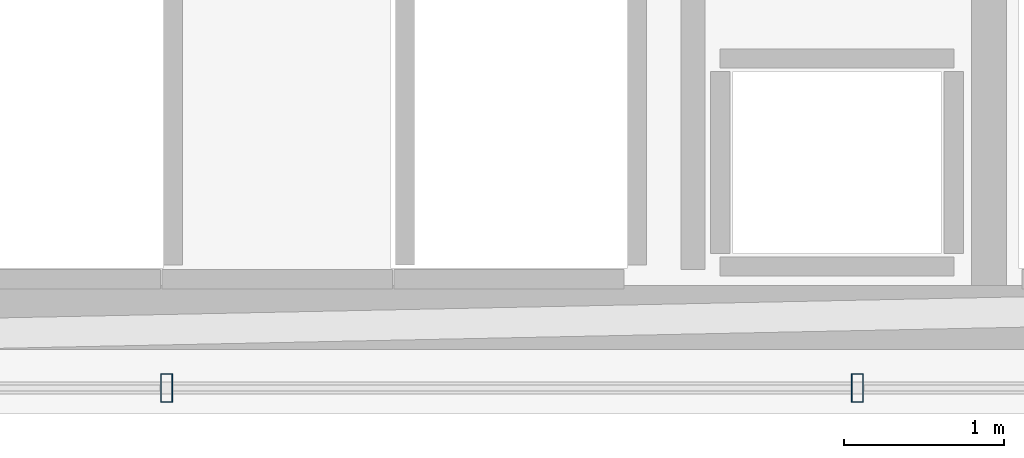
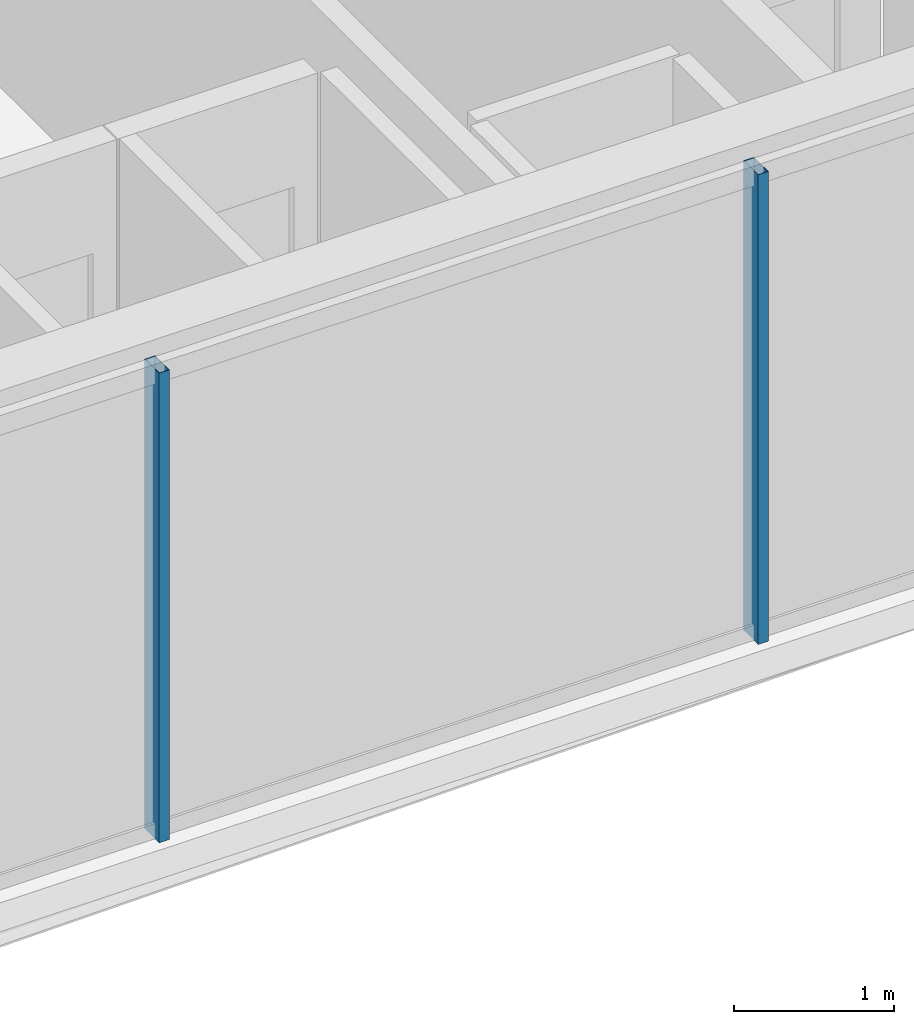
# One storey, part 8 of 30: 2 members, 1 element without a shape of its own.
"""IFC4 building model written with IfcOpenShell, lengths in metres."""

from ifc_helpers import new_model, si_unit, direction, frame, origin, origin_2d, place, context, subcontext, project, spatial, hollow_rectangle, extrude, material, layer, layer_set, material_profile, profile_set, type_object, element, aggregate, save


model = new_model("IFC4")

# Units and contexts
model_context = context("Model", 3, precision=1e-05, world=origin(), true_north=direction((0.0, 1.0)))
body_context = subcontext(model_context, "Body", "Model", "MODEL_VIEW")
ifc_project = project(units=[si_unit("LENGTHUNIT", "METRE"), si_unit("AREAUNIT", "SQUARE_METRE"), si_unit("VOLUMEUNIT", "CUBIC_METRE"), si_unit("PLANEANGLEUNIT", "RADIAN"), si_unit("MASSUNIT", "GRAM", prefix="KILO")], contexts=[model_context])

# Site, building, storey
site_placement = place(None, origin())
site = spatial("IfcSite", under=ifc_project, at=site_placement, CompositionType="ELEMENT")
building_placement = place(site_placement, origin())
building = spatial("IfcBuilding", under=site, at=building_placement, Name="Ndaravel Arena Tower", CompositionType="ELEMENT")
storey_placement = place(building_placement, frame((0.0, 0.0, 221.800048828125)))
storey = spatial("IfcBuildingStorey", under=building, at=storey_placement, Name="L53", CompositionType="ELEMENT", Elevation=221.800048828125)

# Curtain wall, members
ifc_material_1 = material(Name="Aluminium", Category="aluminium")
ifc_layer = layer(ifc_material_1, 0.179931640625)
ifc_layer_set = layer_set([ifc_layer], Name="Aluminium")
curtain_wall_type = type_object("IfcCurtainWallType", Name="CW-SYS-03", PredefinedType="NOTDEFINED", material=ifc_layer_set)
curtain_wall_placement = place(storey_placement, origin())
curtain_wall = element("IfcCurtainWall", 1, at=curtain_wall_placement, inside=storey, type_object=curtain_wall_type, Name="L53 Faceted Crystal Curtain Wall CW-L53-E01", PredefinedType="NOTDEFINED")
ifc_material_2 = material(Name="Aluminium", Category="aluminium")
ifc_material_profile = material_profile(ifc_material_2, hollow_rectangle(XDim=0.074951171875, YDim=0.179931640625, WallThickness=0.00390625, at=origin_2d()), Name="CW MULLION 75x180x4")
ifc_profile_set = profile_set([ifc_material_profile], Name="Aluminium")
member_type = type_object("IfcMemberType", Name="MEM-CW-MUL180", PredefinedType="MULLION", material=ifc_profile_set)
member_1_placement = place(storey_placement, frame((44.1591796875, 5.159912109375, 0.0), z_axis=(0.0, 0.0, 1.0), x_axis=(1.0, 0.0, 0.0)))
member_1 = element("IfcMember", 2, at=member_1_placement, type_object=member_type, Name="CW-L53-E01 Mullion 05", PredefinedType="MULLION", context=body_context, shape_type="SweptSolid", body=[
    extrude(hollow_rectangle(XDim=0.074951171875, YDim=0.179931640625, WallThickness=0.00390625, at=origin_2d()), origin(), (0.0, 0.0, 1.0), 3.579833984375),
])
member_2_placement = place(storey_placement, frame((48.477783203125, 5.159912109375, 0.0), z_axis=(0.0, 0.0, 1.0), x_axis=(1.0, 0.0, 0.0)))
member_2 = element("IfcMember", 3, at=member_2_placement, type_object=member_type, Name="CW-L53-E01 Mullion 06", PredefinedType="MULLION", context=body_context, shape_type="SweptSolid", body=[
    extrude(hollow_rectangle(XDim=0.074951171875, YDim=0.179931640625, WallThickness=0.00390625, at=origin_2d()), origin(), (0.0, 0.0, 1.0), 3.579833984375),
])
aggregate(curtain_wall, [member_1, member_2])

save(model, "model.ifc")
